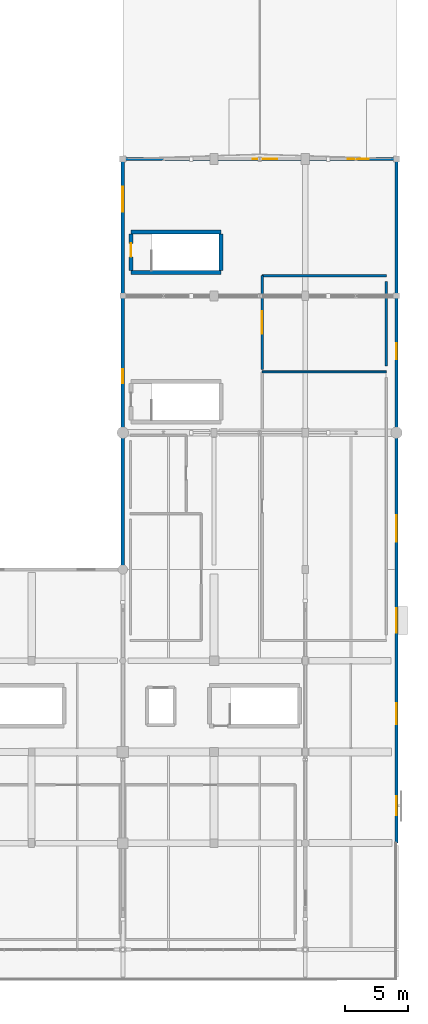
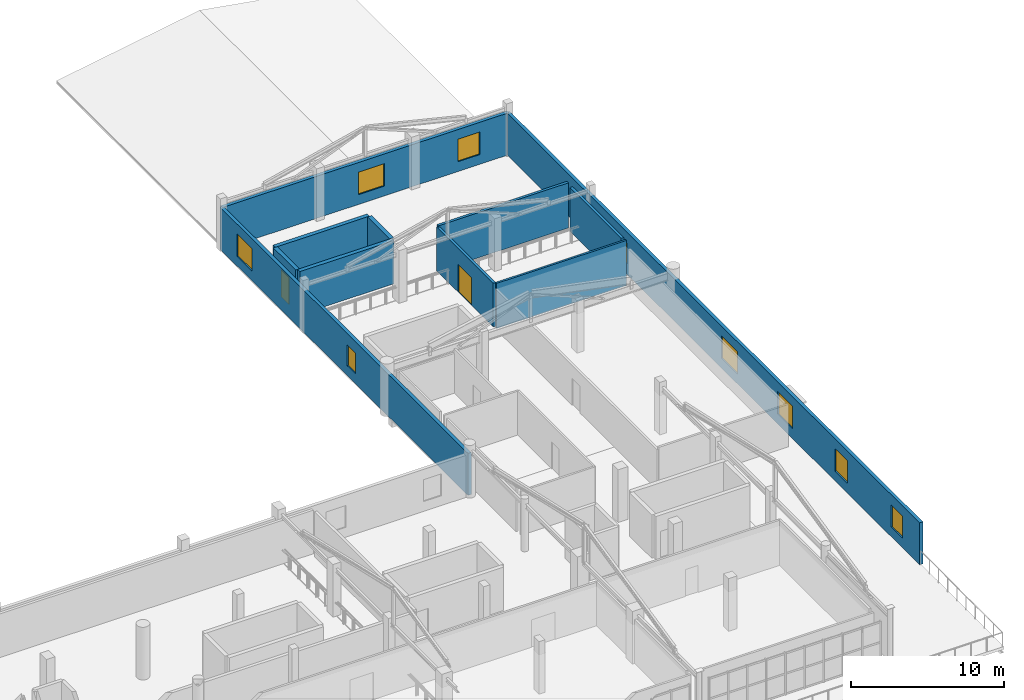
# One storey, part 36 of 41: 11 walls, 9 windows, 2 doors, 11 openings.
"""IFC4 building model written with IfcOpenShell, lengths in metres."""

from ifc_helpers import new_model, si_unit, direction, frame, frame_2d, origin, place, context, subcontext, project, spatial, rectangle, extrude, material, layer, layer_set, type_object, element, fill, save


model = new_model("IFC4")

# Units and contexts
model_context = context("Model", 3, precision=1e-05, world=origin(), true_north=direction((0.0, 1.0)))
body_context = subcontext(model_context, "Body", "Model", "MODEL_VIEW")
ifc_project = project(units=[si_unit("LENGTHUNIT", "METRE"), si_unit("AREAUNIT", "SQUARE_METRE"), si_unit("VOLUMEUNIT", "CUBIC_METRE"), si_unit("PLANEANGLEUNIT", "RADIAN"), si_unit("MASSUNIT", "GRAM", prefix="KILO")], contexts=[model_context])

# Site, building, storey
site_placement = place(None, origin())
site = spatial("IfcSite", under=ifc_project, at=site_placement, CompositionType="ELEMENT")
building_placement = place(site_placement, origin())
building = spatial("IfcBuilding", under=site, at=building_placement, Name="Solanera Park Tramway Depot", CompositionType="ELEMENT")
storey_placement = place(building_placement, frame((0.0, 0.0, 13.199951171875)))
storey = spatial("IfcBuildingStorey", under=building, at=storey_placement, Name="L03", CompositionType="ELEMENT", Elevation=13.199951171875)

# Walls
ifc_material_1 = material(Name="Concrete N32 (C32/40)", Category="concrete")
ifc_layer_1 = layer(ifc_material_1, 0.14990234375)
ifc_layer_set_1 = layer_set([ifc_layer_1], Name="Concrete N32 (C32/40)")
wall_type_1 = type_object("IfcWallType", Name="Acoustic Partition 150", PredefinedType="PARTITIONING", material=ifc_layer_set_1)
wall_1_placement = place(storey_placement, frame((176.60009765625, 48.0, 0.0), z_axis=(0.0, 0.0, 1.0), x_axis=(1.0, 0.0, 0.0)))
element("IfcWall", 1, at=wall_1_placement, inside=storey, type_object=wall_type_1, Name="Azotea Staff Lounge and Kitchenette Dividing Wall", PredefinedType="PARTITIONING", context=body_context, shape_type="SweptSolid", body=[
    extrude(rectangle(XDim=9.7998046875, YDim=0.14990234375, at=frame_2d((4.89990234375, 0.0))), origin(), (0.0, 0.0, 1.0), 3.60009765625),
])
ifc_material_2 = material(Name="Concrete N40 (C40/50)", Category="concrete")
ifc_layer_2 = layer(ifc_material_2, 0.300048828125)
ifc_layer_set_2 = layer_set([ifc_layer_2], Name="Concrete N40 (C40/50)")
wall_type_2 = type_object("IfcWallType", Name="Core Shear Wall 300", PredefinedType="SHEAR", material=ifc_layer_set_2)
for number, where, z_axis, x_axis, name in (
    (2, (166.25, 55.85009765625, 0.0), (0.0, 0.0, 1.0), (1.0, 0.0, 0.0), "ST-06 L03 Shear Core Wall S"),
    (3, (173.35009765625, 59.050048828125, 0.0), (0.0, 0.0, 1.0), (-1.0, 0.0, 0.0), "ST-06 L03 Shear Core Wall N"),
):
    element("IfcWall", number, at=place(storey_placement, frame(where, z_axis=z_axis, x_axis=x_axis)), inside=storey, type_object=wall_type_2, Name=name, PredefinedType="SHEAR", context=body_context, shape_type="SweptSolid", body=[
        extrude(rectangle(XDim=7.10009765625, YDim=0.300048828125, at=frame_2d((3.550048828125, 0.0))), origin(), (0.0, 0.0, 1.0), 3.449951171875),
    ])
wall_2_placement = place(storey_placement, frame((173.35009765625, 56.0, 0.0), z_axis=(0.0, 0.0, 1.0), x_axis=(0.0, 1.0, 0.0)))
element("IfcWall", 4, at=wall_2_placement, inside=storey, type_object=wall_type_2, Name="ST-06 L03 Shear Core Wall E", PredefinedType="SHEAR", context=body_context, shape_type="SweptSolid", body=[
    extrude(rectangle(XDim=2.89990234375, YDim=0.300048828125, at=frame_2d((1.449951171875, 0.0))), origin(), (0.0, 0.0, 1.0), 3.449951171875),
])

# Wall, opening, door
wall_3_placement = place(storey_placement, frame((166.25, 58.89990234375, 0.0), z_axis=(0.0, 0.0, 1.0), x_axis=(0.0, -1.0, 0.0)))
wall_3 = element("IfcWall", 5, at=wall_3_placement, inside=storey, type_object=wall_type_2, Name="ST-06 L03 Shear Core Wall W", PredefinedType="SHEAR", context=body_context, shape_type="SweptSolid", body=[
    extrude(rectangle(XDim=2.89990234375, YDim=0.300048828125, at=frame_2d((1.449951171875, 0.0))), origin(), (0.0, 0.0, 1.0), 3.449951171875),
])
opening_1_placement = place(wall_3_placement, frame((0.75, 0.0, 0.0)))
opening_1 = element("IfcOpeningElement", 6, at=opening_1_placement, cuts=wall_3, Name="Opening FD-S1R", PredefinedType="OPENING", context=body_context, shape_type="SweptSolid", body=[
    extrude(rectangle(XDim=1.070068359375, YDim=2.14990234375, at=frame_2d((0.53515625, 1.074951171875))), frame((0.0, 0.16015625, 0.0), z_axis=(0.0, -1.0, 0.0), x_axis=(1.0, 0.0, 0.0)), (0.0, 0.0, 1.0), 0.320068359375),
])
ifc_material_3 = material(Name="Fire-rated steel or solid-core hardwood door leaf", Category="steel")
door_type_1 = type_object("IfcDoorType", Name="Stair Fire Door R 1070x2150", OperationType="SINGLE_SWING_RIGHT", PredefinedType="DOOR", material=ifc_material_3)
door_1_placement = place(opening_1_placement, origin())
door_1 = element("IfcDoor", 7, at=door_1_placement, inside=storey, type_object=door_type_1, Name="ST-06 L03 Stair Fire Door", OperationType="SINGLE_SWING_RIGHT", OverallHeight=2.14990234375, OverallWidth=1.070068359375, PredefinedType="DOOR", context=body_context, shape_type="SweptSolid", body=[
    extrude(rectangle(XDim=1.070068359375, YDim=2.14990234375, at=frame_2d((0.53515625, 1.074951171875))), frame((0.0, 0.02490234375, 0.0), z_axis=(0.0, -1.0, 0.0), x_axis=(1.0, 0.0, 0.0)), (0.0, 0.0, 1.0), 0.050048828125),
])
fill(opening_1, door_1)

# Wall, openings, windows
ifc_material_4 = material(Name="Concrete N32 (C32/40)", Category="concrete")
ifc_layer_3 = layer(ifc_material_4, 0.25)
ifc_layer_set_3 = layer_set([ifc_layer_3], Name="Concrete N32 (C32/40)")
wall_type_3 = type_object("IfcWallType", Name="Ext Stucco Wall 250", PredefinedType="SOLIDWALL", material=ifc_layer_set_3)
wall_4_placement = place(storey_placement, frame((187.199951171875, 10.800048828125, 0.0), z_axis=(0.0, 0.0, 1.0), x_axis=(0.0, 1.0, 0.0)))
wall_4 = element("IfcWall", 8, at=wall_4_placement, inside=storey, type_object=wall_type_3, Name="L03 Exterior Wall #038", PredefinedType="SOLIDWALL", context=body_context, shape_type="SweptSolid", body=[
    extrude(rectangle(XDim=54.0, YDim=0.25, at=frame_2d((27.0, 0.0))), origin(), (0.0, 0.0, 1.0), 3.35009765625),
])
opening_2_placement = place(wall_4_placement, frame((2.199951171875, 0.0, 0.780029296875)))
opening_2 = element("IfcOpeningElement", 9, at=opening_2_placement, cuts=wall_4, Name="Opening WN-C15", PredefinedType="OPENING", context=body_context, shape_type="SweptSolid", body=[
    extrude(rectangle(XDim=1.5, YDim=1.75, at=frame_2d((0.75, 0.875))), frame((0.0, 0.135009765625, 0.0), z_axis=(0.0, -1.0, 0.0), x_axis=(1.0, 0.0, 0.0)), (0.0, 0.0, 1.0), 0.27001953125),
])
opening_3_placement = place(wall_4_placement, frame((9.39990234375, 0.0, 0.780029296875)))
opening_3 = element("IfcOpeningElement", 10, at=opening_3_placement, cuts=wall_4, Name="Opening WN-C16", PredefinedType="OPENING", context=body_context, shape_type="SweptSolid", body=[
    extrude(rectangle(XDim=1.64990234375, YDim=1.800048828125, at=frame_2d((0.824951171875, 0.89990234375))), frame((0.0, 0.135009765625, 0.0), z_axis=(0.0, -1.0, 0.0), x_axis=(1.0, 0.0, 0.0)), (0.0, 0.0, 1.0), 0.27001953125),
])
opening_4_placement = place(wall_4_placement, frame((16.60009765625, 0.0, 0.780029296875)))
opening_4 = element("IfcOpeningElement", 11, at=opening_4_placement, cuts=wall_4, Name="Opening WN-C19", PredefinedType="OPENING", context=body_context, shape_type="SweptSolid", body=[
    extrude(rectangle(XDim=1.949951171875, YDim=1.800048828125, at=frame_2d((0.97509765625, 0.89990234375))), frame((0.0, 0.135009765625, 0.0), z_axis=(0.0, -1.0, 0.0), x_axis=(1.0, 0.0, 0.0)), (0.0, 0.0, 1.0), 0.27001953125),
])
opening_5_placement = place(wall_4_placement, frame((23.800048828125, 0.0, 0.780029296875)))
opening_5 = element("IfcOpeningElement", 12, at=opening_5_placement, cuts=wall_4, Name="Opening WN-C21", PredefinedType="OPENING", context=body_context, shape_type="SweptSolid", body=[
    extrude(rectangle(XDim=2.10009765625, YDim=1.800048828125, at=frame_2d((1.050048828125, 0.89990234375))), frame((0.0, 0.135009765625, 0.0), z_axis=(0.0, -1.0, 0.0), x_axis=(1.0, 0.0, 0.0)), (0.0, 0.0, 1.0), 0.27001953125),
])
opening_6_placement = place(wall_4_placement, frame((38.199951171875, 0.0, 0.780029296875)))
opening_6 = element("IfcOpeningElement", 13, at=opening_6_placement, cuts=wall_4, Name="Opening WN-C12", PredefinedType="OPENING", context=body_context, shape_type="SweptSolid", body=[
    extrude(rectangle(XDim=1.25, YDim=1.699951171875, at=frame_2d((0.625, 0.85009765625))), frame((0.0, 0.135009765625, 0.0), z_axis=(0.0, -1.0, 0.0), x_axis=(1.0, 0.0, 0.0)), (0.0, 0.0, 1.0), 0.27001953125),
])
ifc_material_5 = material(Name="Powder-coated aluminium frame with solar-control double glazing", Category="aluminium")
window_type_1 = type_object("IfcWindowType", Name="Cloister Casement Window 1250x1700", PartitioningType="SINGLE_PANEL", PredefinedType="WINDOW", material=ifc_material_5)
window_1_placement = place(opening_6_placement, origin())
window_1 = element("IfcWindow", 14, at=window_1_placement, inside=storey, type_object=window_type_1, Name="L03 Cloister Casement Window 1250x1700 #0162", OverallHeight=1.699951171875, OverallWidth=1.25, PartitioningType="SINGLE_PANEL", PredefinedType="WINDOW", context=body_context, shape_type="SweptSolid", body=[
    extrude(rectangle(XDim=1.25, YDim=1.699951171875, at=frame_2d((0.625, 0.85009765625))), frame((0.0, 0.030029296875, 0.0), z_axis=(0.0, -1.0, 0.0), x_axis=(1.0, 0.0, 0.0)), (0.0, 0.0, 1.0), 0.06005859375),
])
fill(opening_6, window_1)
ifc_material_6 = material(Name="Powder-coated aluminium frame with solar-control double glazing", Category="aluminium")
window_type_2 = type_object("IfcWindowType", Name="Cloister Casement Window 1500x1750", PartitioningType="SINGLE_PANEL", PredefinedType="WINDOW", material=ifc_material_6)
window_2_placement = place(opening_2_placement, origin())
window_2 = element("IfcWindow", 15, at=window_2_placement, inside=storey, type_object=window_type_2, Name="L03 Cloister Casement Window 1500x1750 #0158", OverallHeight=1.75, OverallWidth=1.5, PartitioningType="SINGLE_PANEL", PredefinedType="WINDOW", context=body_context, shape_type="SweptSolid", body=[
    extrude(rectangle(XDim=1.5, YDim=1.75, at=frame_2d((0.75, 0.875))), frame((0.0, 0.030029296875, 0.0), z_axis=(0.0, -1.0, 0.0), x_axis=(1.0, 0.0, 0.0)), (0.0, 0.0, 1.0), 0.06005859375),
])
fill(opening_2, window_2)
ifc_material_7 = material(Name="Powder-coated aluminium frame with solar-control double glazing", Category="aluminium")
window_type_3 = type_object("IfcWindowType", Name="Cloister Casement Window 1650x1800", PartitioningType="SINGLE_PANEL", PredefinedType="WINDOW", material=ifc_material_7)
window_3_placement = place(opening_3_placement, origin())
window_3 = element("IfcWindow", 16, at=window_3_placement, inside=storey, type_object=window_type_3, Name="L03 Cloister Casement Window 1650x1800 #0159", OverallHeight=1.800048828125, OverallWidth=1.64990234375, PartitioningType="SINGLE_PANEL", PredefinedType="WINDOW", context=body_context, shape_type="SweptSolid", body=[
    extrude(rectangle(XDim=1.64990234375, YDim=1.800048828125, at=frame_2d((0.824951171875, 0.89990234375))), frame((0.0, 0.030029296875, 0.0), z_axis=(0.0, -1.0, 0.0), x_axis=(1.0, 0.0, 0.0)), (0.0, 0.0, 1.0), 0.06005859375),
])
fill(opening_3, window_3)
ifc_material_8 = material(Name="Powder-coated aluminium frame with solar-control double glazing", Category="aluminium")
window_type_4 = type_object("IfcWindowType", Name="Cloister Casement Window 1950x1800", PartitioningType="SINGLE_PANEL", PredefinedType="WINDOW", material=ifc_material_8)
window_4_placement = place(opening_4_placement, origin())
window_4 = element("IfcWindow", 17, at=window_4_placement, inside=storey, type_object=window_type_4, Name="L03 Cloister Casement Window 1950x1800 #0160", OverallHeight=1.800048828125, OverallWidth=1.949951171875, PartitioningType="SINGLE_PANEL", PredefinedType="WINDOW", context=body_context, shape_type="SweptSolid", body=[
    extrude(rectangle(XDim=1.949951171875, YDim=1.800048828125, at=frame_2d((0.97509765625, 0.89990234375))), frame((0.0, 0.030029296875, 0.0), z_axis=(0.0, -1.0, 0.0), x_axis=(1.0, 0.0, 0.0)), (0.0, 0.0, 1.0), 0.06005859375),
])
fill(opening_4, window_4)
ifc_material_9 = material(Name="Powder-coated aluminium frame with solar-control double glazing", Category="aluminium")
window_type_5 = type_object("IfcWindowType", Name="Cloister Casement Window 2100x1800", PartitioningType="SINGLE_PANEL", PredefinedType="WINDOW", material=ifc_material_9)
window_5_placement = place(opening_5_placement, origin())
window_5 = element("IfcWindow", 18, at=window_5_placement, inside=storey, type_object=window_type_5, Name="L03 Cloister Casement Window 2100x1800 #0161", OverallHeight=1.800048828125, OverallWidth=2.10009765625, PartitioningType="SINGLE_PANEL", PredefinedType="WINDOW", context=body_context, shape_type="SweptSolid", body=[
    extrude(rectangle(XDim=2.10009765625, YDim=1.800048828125, at=frame_2d((1.050048828125, 0.89990234375))), frame((0.0, 0.030029296875, 0.0), z_axis=(0.0, -1.0, 0.0), x_axis=(1.0, 0.0, 0.0)), (0.0, 0.0, 1.0), 0.06005859375),
])
fill(opening_5, window_5)

wall_5_placement = place(storey_placement, frame((187.199951171875, 64.800048828125, 0.0), z_axis=(0.0, 0.0, 1.0), x_axis=(-1.0, 0.0, 0.0)))
wall_5 = element("IfcWall", 19, at=wall_5_placement, inside=storey, type_object=wall_type_3, Name="L03 Exterior Wall #039", PredefinedType="SOLIDWALL", context=body_context, shape_type="SweptSolid", body=[
    extrude(rectangle(XDim=21.599853515625, YDim=0.25, at=frame_2d((10.7998046875, 0.0))), origin(), (0.0, 0.0, 1.0), 3.35009765625),
])
opening_7_placement = place(wall_5_placement, frame((2.199951171875, 0.0, 0.780029296875)))
opening_7 = element("IfcOpeningElement", 20, at=opening_7_placement, cuts=wall_5, Name="Opening WN-C16", PredefinedType="OPENING", context=body_context, shape_type="SweptSolid", body=[
    extrude(rectangle(XDim=1.64990234375, YDim=1.800048828125, at=frame_2d((0.824951171875, 0.89990234375))), frame((0.0, 0.135009765625, 0.0), z_axis=(0.0, -1.0, 0.0), x_axis=(1.0, 0.0, 0.0)), (0.0, 0.0, 1.0), 0.27001953125),
])
opening_8_placement = place(wall_5_placement, frame((9.39990234375, 0.0, 0.780029296875)))
opening_8 = element("IfcOpeningElement", 21, at=opening_8_placement, cuts=wall_5, Name="Opening WN-C19", PredefinedType="OPENING", context=body_context, shape_type="SweptSolid", body=[
    extrude(rectangle(XDim=1.949951171875, YDim=1.800048828125, at=frame_2d((0.97509765625, 0.89990234375))), frame((0.0, 0.135009765625, 0.0), z_axis=(0.0, -1.0, 0.0), x_axis=(1.0, 0.0, 0.0)), (0.0, 0.0, 1.0), 0.27001953125),
])
window_6_placement = place(opening_7_placement, origin())
window_6 = element("IfcWindow", 22, at=window_6_placement, inside=storey, type_object=window_type_3, Name="L03 Cloister Casement Window 1650x1800 #0163", OverallHeight=1.800048828125, OverallWidth=1.64990234375, PartitioningType="SINGLE_PANEL", PredefinedType="WINDOW", context=body_context, shape_type="SweptSolid", body=[
    extrude(rectangle(XDim=1.64990234375, YDim=1.800048828125, at=frame_2d((0.824951171875, 0.89990234375))), frame((0.0, 0.030029296875, 0.0), z_axis=(0.0, -1.0, 0.0), x_axis=(1.0, 0.0, 0.0)), (0.0, 0.0, 1.0), 0.06005859375),
])
fill(opening_7, window_6)
window_7_placement = place(opening_8_placement, origin())
window_7 = element("IfcWindow", 23, at=window_7_placement, inside=storey, type_object=window_type_4, Name="L03 Cloister Casement Window 1950x1800 #0164", OverallHeight=1.800048828125, OverallWidth=1.949951171875, PartitioningType="SINGLE_PANEL", PredefinedType="WINDOW", context=body_context, shape_type="SweptSolid", body=[
    extrude(rectangle(XDim=1.949951171875, YDim=1.800048828125, at=frame_2d((0.97509765625, 0.89990234375))), frame((0.0, 0.030029296875, 0.0), z_axis=(0.0, -1.0, 0.0), x_axis=(1.0, 0.0, 0.0)), (0.0, 0.0, 1.0), 0.06005859375),
])
fill(opening_8, window_7)

wall_6_placement = place(storey_placement, frame((165.60009765625, 64.800048828125, 0.0), z_axis=(0.0, 0.0, 1.0), x_axis=(0.0, -1.0, 0.0)))
wall_6 = element("IfcWall", 24, at=wall_6_placement, inside=storey, type_object=wall_type_3, Name="L03 Exterior Wall #040", PredefinedType="SOLIDWALL", context=body_context, shape_type="SweptSolid", body=[
    extrude(rectangle(XDim=32.400146484375, YDim=0.25, at=frame_2d((16.2001953125, 0.0))), origin(), (0.0, 0.0, 1.0), 3.35009765625),
])
opening_9_placement = place(wall_6_placement, frame((2.199951171875, 0.0, 0.780029296875)))
opening_9 = element("IfcOpeningElement", 25, at=opening_9_placement, cuts=wall_6, Name="Opening WN-C19", PredefinedType="OPENING", context=body_context, shape_type="SweptSolid", body=[
    extrude(rectangle(XDim=1.949951171875, YDim=1.800048828125, at=frame_2d((0.97509765625, 0.89990234375))), frame((0.0, 0.135009765625, 0.0), z_axis=(0.0, -1.0, 0.0), x_axis=(1.0, 0.0, 0.0)), (0.0, 0.0, 1.0), 0.27001953125),
])
opening_10_placement = place(wall_6_placement, frame((16.60009765625, 0.0, 0.780029296875)))
opening_10 = element("IfcOpeningElement", 26, at=opening_10_placement, cuts=wall_6, Name="Opening WN-C11", PredefinedType="OPENING", context=body_context, shape_type="SweptSolid", body=[
    extrude(rectangle(XDim=1.10009765625, YDim=1.64990234375, at=frame_2d((0.550048828125, 0.824951171875))), frame((0.0, 0.135009765625, 0.0), z_axis=(0.0, -1.0, 0.0), x_axis=(1.0, 0.0, 0.0)), (0.0, 0.0, 1.0), 0.27001953125),
])
ifc_material_10 = material(Name="Powder-coated aluminium frame with solar-control double glazing", Category="aluminium")
window_type_6 = type_object("IfcWindowType", Name="Cloister Casement Window 1100x1650", PartitioningType="SINGLE_PANEL", PredefinedType="WINDOW", material=ifc_material_10)
window_8_placement = place(opening_10_placement, origin())
window_8 = element("IfcWindow", 27, at=window_8_placement, inside=storey, type_object=window_type_6, Name="L03 Cloister Casement Window 1100x1650 #0166", OverallHeight=1.64990234375, OverallWidth=1.10009765625, PartitioningType="SINGLE_PANEL", PredefinedType="WINDOW", context=body_context, shape_type="SweptSolid", body=[
    extrude(rectangle(XDim=1.10009765625, YDim=1.64990234375, at=frame_2d((0.550048828125, 0.824951171875))), frame((0.0, 0.030029296875, 0.0), z_axis=(0.0, -1.0, 0.0), x_axis=(1.0, 0.0, 0.0)), (0.0, 0.0, 1.0), 0.06005859375),
])
fill(opening_10, window_8)
window_9_placement = place(opening_9_placement, origin())
window_9 = element("IfcWindow", 28, at=window_9_placement, inside=storey, type_object=window_type_4, Name="L03 Cloister Casement Window 1950x1800 #0165", OverallHeight=1.800048828125, OverallWidth=1.949951171875, PartitioningType="SINGLE_PANEL", PredefinedType="WINDOW", context=body_context, shape_type="SweptSolid", body=[
    extrude(rectangle(XDim=1.949951171875, YDim=1.800048828125, at=frame_2d((0.97509765625, 0.89990234375))), frame((0.0, 0.030029296875, 0.0), z_axis=(0.0, -1.0, 0.0), x_axis=(1.0, 0.0, 0.0)), (0.0, 0.0, 1.0), 0.06005859375),
])
fill(opening_9, window_9)

# Walls
ifc_material_11 = material(Name="Concrete N32 (C32/40)", Category="concrete")
ifc_layer_4 = layer(ifc_material_11, 0.199951171875)
ifc_layer_set_4 = layer_set([ifc_layer_4], Name="Concrete N32 (C32/40)")
wall_type_4 = type_object("IfcWallType", Name="Fire Compartment Wall 200", PredefinedType="SOLIDWALL", material=ifc_layer_set_4)
wall_7_placement = place(storey_placement, frame((176.60009765625, 55.60009765625, 0.0), z_axis=(0.0, 0.0, 1.0), x_axis=(1.0, 0.0, 0.0)))
element("IfcWall", 29, at=wall_7_placement, inside=storey, type_object=wall_type_4, Name="Head-Block Roof Chiller and Solar Inverter Dividing Wall", PredefinedType="SOLIDWALL", context=body_context, shape_type="SweptSolid", body=[
    extrude(rectangle(XDim=9.7998046875, YDim=0.199951171875, at=frame_2d((4.89990234375, 0.0))), origin(), (0.0, 0.0, 1.0), 3.60009765625),
])
wall_8_placement = place(storey_placement, frame((186.39990234375, 48.449951171875, 0.0), z_axis=(0.0, 0.0, 1.0), x_axis=(0.0, 1.0, 0.0)))
element("IfcWall", 30, at=wall_8_placement, inside=storey, type_object=wall_type_4, Name="Head-Block Roof Chiller and Solar Inverter Dividing Wall", PredefinedType="SOLIDWALL", context=body_context, shape_type="SweptSolid", body=[
    extrude(rectangle(XDim=6.699951171875, YDim=0.199951171875, at=frame_2d((3.35009765625, 0.0))), origin(), (0.0, 0.0, 1.0), 3.482177734375),
])

# Wall, opening, door
wall_9_placement = place(storey_placement, frame((176.60009765625, 55.60009765625, 0.0), z_axis=(0.0, 0.0, 1.0), x_axis=(0.0, -1.0, 0.0)))
wall_9 = element("IfcWall", 31, at=wall_9_placement, inside=storey, type_object=wall_type_4, Name="Head-Block Roof Chiller and Solar Inverter Corridor Wall", PredefinedType="SOLIDWALL", context=body_context, shape_type="SweptSolid", body=[
    extrude(rectangle(XDim=7.400146484375, YDim=0.199951171875, at=frame_2d((3.7001953125, 0.0))), origin(), (0.0, 0.0, 1.0), 3.482177734375),
])
opening_11_placement = place(wall_9_placement, frame((2.800048828125, 0.0, 0.0)))
opening_11 = element("IfcOpeningElement", 32, at=opening_11_placement, cuts=wall_9, Name="Opening FD-P2D", PredefinedType="OPENING", context=body_context, shape_type="SweptSolid", body=[
    extrude(rectangle(XDim=1.800048828125, YDim=2.199951171875, at=frame_2d((0.89990234375, 1.10009765625))), frame((0.0, 0.10986328125, 0.0), z_axis=(0.0, -1.0, 0.0), x_axis=(1.0, 0.0, 0.0)), (0.0, 0.0, 1.0), 0.219970703125),
])
ifc_material_12 = material(Name="Fire-rated steel or solid-core hardwood door leaf", Category="steel")
door_type_2 = type_object("IfcDoorType", Name="Plant Double Fire Door 1800x2200", OperationType="DOUBLE_SWING_LEFT", PredefinedType="DOOR", material=ifc_material_12)
door_2_placement = place(opening_11_placement, origin())
door_2 = element("IfcDoor", 33, at=door_2_placement, inside=storey, type_object=door_type_2, Name="Head-Block Roof Chiller and Solar Inverter Door", OperationType="DOUBLE_SWING_LEFT", OverallHeight=2.199951171875, OverallWidth=1.800048828125, PredefinedType="DOOR", context=body_context, shape_type="SweptSolid", body=[
    extrude(rectangle(XDim=1.800048828125, YDim=2.199951171875, at=frame_2d((0.89990234375, 1.10009765625))), frame((0.0, 0.02490234375, 0.0), z_axis=(0.0, -1.0, 0.0), x_axis=(1.0, 0.0, 0.0)), (0.0, 0.0, 1.0), 0.050048828125),
])
fill(opening_11, door_2)

save(model, "model.ifc")
